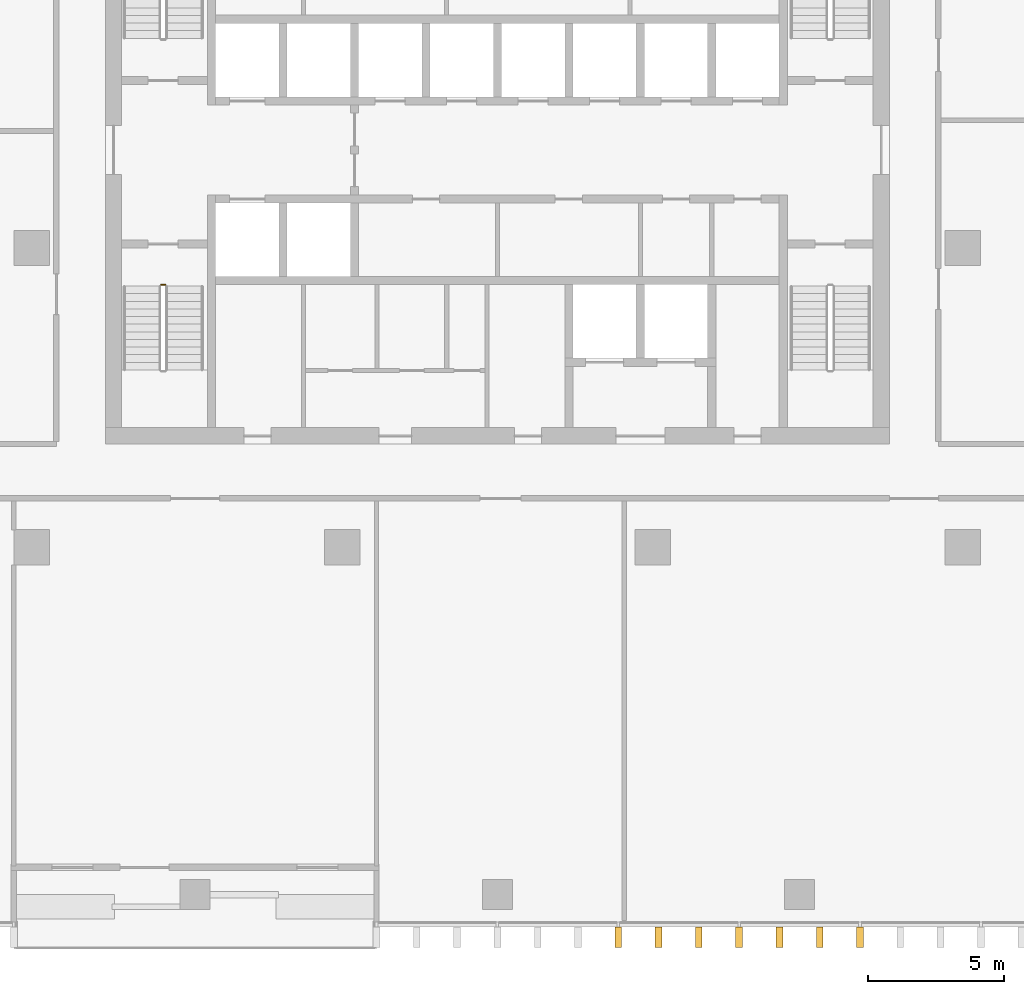
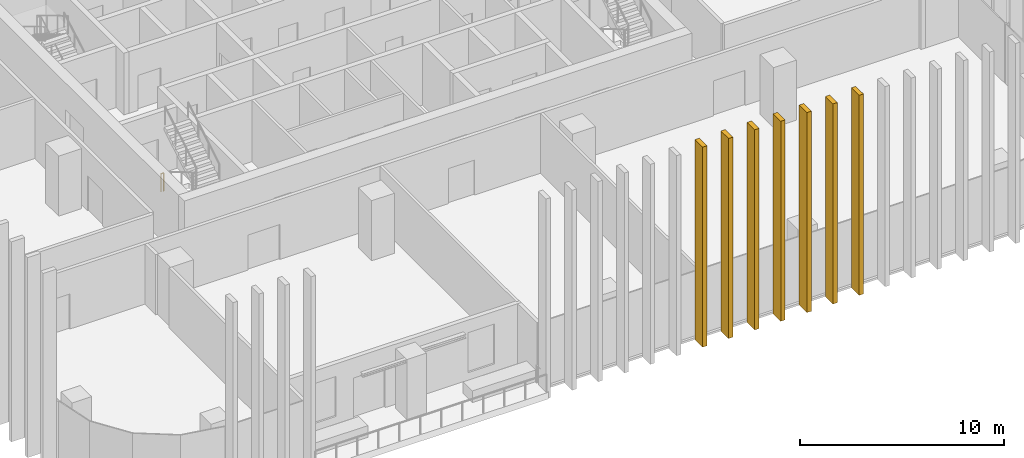
# One storey, part 12 of 15: 7 shading devices, 1 railing.
"""IFC4 building model written with IfcOpenShell, lengths in metres."""

from ifc_helpers import new_model, si_unit, direction, frame, origin, origin_2d, place, context, subcontext, project, spatial, rectangle, circle, extrude, material, type_object, element, save


model = new_model("IFC4")

# Units and contexts
model_context = context("Model", 3, precision=1e-05, world=origin(), true_north=direction((0.0, 1.0)))
body_context = subcontext(model_context, "Body", "Model", "MODEL_VIEW")
ifc_project = project(units=[si_unit("LENGTHUNIT", "METRE"), si_unit("AREAUNIT", "SQUARE_METRE"), si_unit("VOLUMEUNIT", "CUBIC_METRE"), si_unit("PLANEANGLEUNIT", "RADIAN"), si_unit("MASSUNIT", "GRAM", prefix="KILO")], contexts=[model_context])

# Site, building, storey
site_placement = place(None, origin())
site = spatial("IfcSite", under=ifc_project, at=site_placement, CompositionType="ELEMENT")
building_placement = place(site_placement, origin())
building = spatial("IfcBuilding", under=site, at=building_placement, Name="Mopane Tessera Tower", CompositionType="ELEMENT")
storey_placement = place(building_placement, frame((0.0, 0.0, 211.0)))
storey = spatial("IfcBuildingStorey", under=building, at=storey_placement, Name="L44", CompositionType="ELEMENT", Elevation=211.0)

# Shading devices
ifc_material_1 = material(Name="Glazed ceramic tile")
shading_device_type = type_object("IfcShadingDeviceType", Name="Ceramic tile fin 750 x 250 mm", PredefinedType="USERDEFINED", material=ifc_material_1)
for number, where, z_axis, x_axis, name in (
    (1, (4.43994140625, -25.324951171875, -0.39990234375), (0.0, 0.0, 1.0), (1.0, 0.0, 0.0), "e:fin:L44:S:6:0"),
    (2, (5.919921875, -25.324951171875, -0.39990234375), (0.0, 0.0, 1.0), (1.0, 0.0, 0.0), "e:fin:L44:S:6:1"),
    (3, (7.39990234375, -25.324951171875, -0.39990234375), (0.0, 0.0, 1.0), (1.0, 0.0, 0.0), "e:fin:L44:S:6:2"),
    (4, (8.8798828125, -25.324951171875, -0.39990234375), (0.0, 0.0, 1.0), (1.0, 0.0, 0.0), "e:fin:L44:S:7:0"),
    (5, (10.360107421875, -25.324951171875, -0.39990234375), (0.0, 0.0, 1.0), (1.0, 0.0, 0.0), "e:fin:L44:S:7:1"),
    (6, (11.840087890625, -25.324951171875, -0.39990234375), (0.0, 0.0, 1.0), (1.0, 0.0, 0.0), "e:fin:L44:S:7:2"),
    (7, (13.320068359375, -25.324951171875, -0.39990234375), (0.0, 0.0, 1.0), (1.0, 0.0, 0.0), "e:fin:L44:S:8:0"),
):
    element("IfcShadingDevice", number, at=place(storey_placement, frame(where, z_axis=z_axis, x_axis=x_axis)), inside=storey, type_object=shading_device_type, Name=name, ObjectType="FIN", PredefinedType="USERDEFINED", context=body_context, shape_type="SweptSolid", body=[
        extrude(rectangle(XDim=0.25, YDim=0.75, at=origin_2d()), origin(), (0.0, 0.0, 1.0), 12.0),
    ])

# Railing
ifc_material_2 = material(Name="Powder-coated steel balustrade", Category="steel")
railing_type = type_object("IfcRailingType", Name="Escape stair guard 1100 mm", PredefinedType="GUARDRAIL", material=ifc_material_2)
railing_placement = place(storey_placement, frame((-12.35009765625, -1.35009765625, 0.0)))
element("IfcRailing", 8, at=railing_placement, inside=storey, type_object=railing_type, Name="L44 ST1 stair guard 3", PredefinedType="GUARDRAIL", context=body_context, shape_type="SweptSolid", body=[
    extrude(circle(Radius=0.02392578125, at=origin_2d()), frame((0.0, 0.0, 1.076171875), z_axis=(1.0, 0.0, 0.0), x_axis=(0.0, 1.0, 0.0)), (0.0, 0.0, 1.0), 0.150146484375),
    extrude(circle(Radius=0.02099609375, at=origin_2d()), origin(), (0.0, 0.0, 1.0), 1.052001953125),
    extrude(circle(Radius=0.02099609375, at=origin_2d()), frame((0.150146484375, 0.0, 0.0)), (0.0, 0.0, 1.0), 1.052001953125),
])

save(model, "model.ifc")
